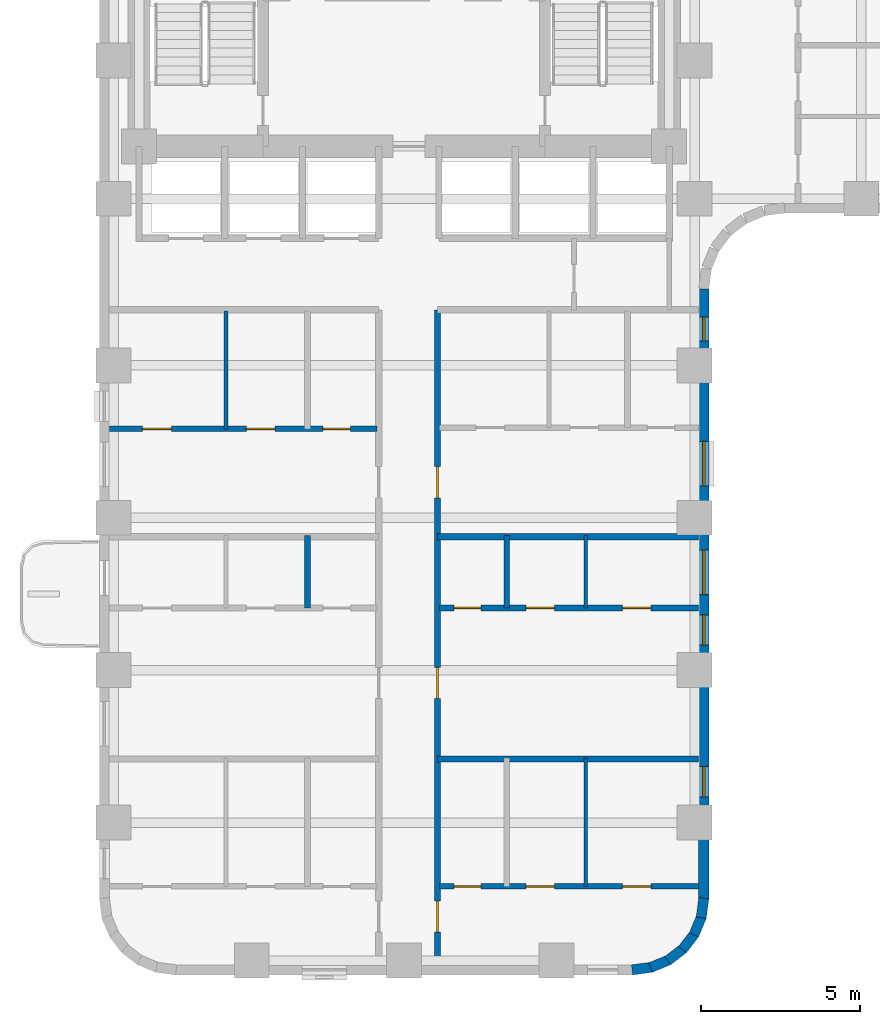
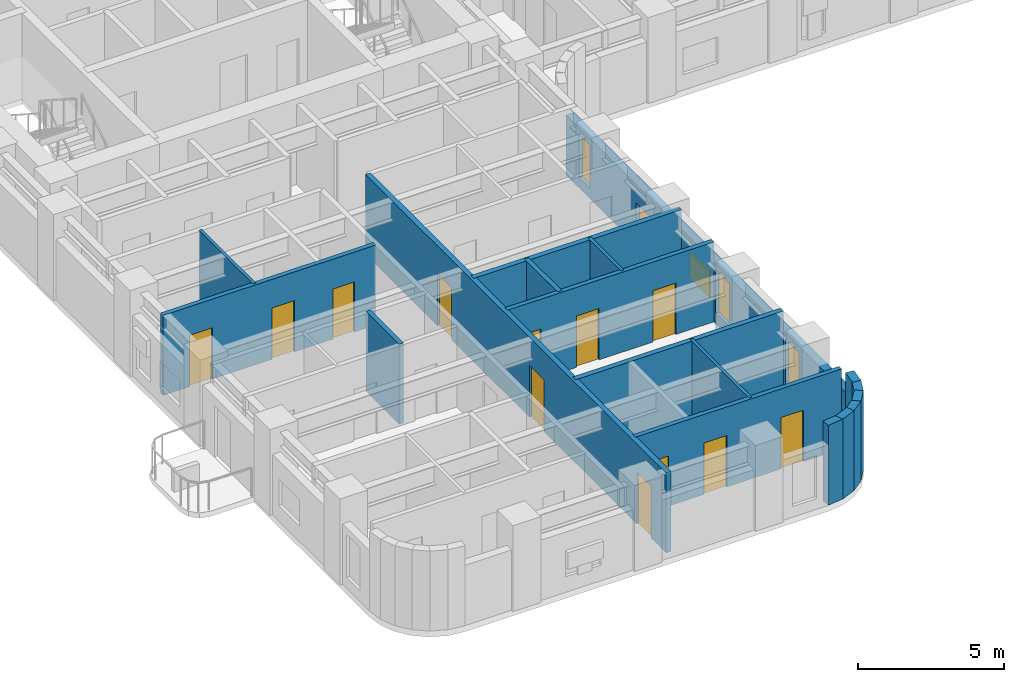
# One storey, part 3 of 10: 18 walls, 12 doors, 5 windows, 17 openings.
"""IFC4 building model written with IfcOpenShell, lengths in metres."""

from ifc_helpers import new_model, si_unit, direction, frame, frame_2d, origin, place, context, subcontext, project, spatial, rectangle, extrude, material, layer, layer_set, type_object, element, fill, save


model = new_model("IFC4")

# Units and contexts
model_context = context("Model", 3, precision=1e-05, world=origin(), true_north=direction((0.0, 1.0)))
body_context = subcontext(model_context, "Body", "Model", "MODEL_VIEW")
ifc_project = project(units=[si_unit("LENGTHUNIT", "METRE"), si_unit("AREAUNIT", "SQUARE_METRE"), si_unit("VOLUMEUNIT", "CUBIC_METRE"), si_unit("PLANEANGLEUNIT", "RADIAN"), si_unit("MASSUNIT", "GRAM", prefix="KILO")], contexts=[model_context])

# Site, building, storey
site_placement = place(None, origin())
site = spatial("IfcSite", under=ifc_project, at=site_placement, CompositionType="ELEMENT")
building_placement = place(site_placement, origin())
building = spatial("IfcBuilding", under=site, at=building_placement, Name="Orvandelia Arch Residences", CompositionType="ELEMENT")
storey_placement = place(building_placement, frame((0.0, 0.0, 32.199951171875)))
storey = spatial("IfcBuildingStorey", under=building, at=storey_placement, Name="L07", CompositionType="ELEMENT", Elevation=32.199951171875)

# Wall, openings, doors
ifc_material_1 = material(Name="Fire-Rated Corridor Partition")
ifc_layer_1 = layer(ifc_material_1, 0.199951171875, Name="Fire-Rated Corridor Partition")
ifc_layer_set_1 = layer_set([ifc_layer_1], Name="Fire-Rated Corridor Partition")
wall_type_1 = type_object("IfcWallType", Name="WL-CORR-200", PredefinedType="PARTITIONING", material=ifc_layer_set_1)
wall_1_placement = place(storey_placement, frame((15.449951171875, 5.1201171875, 0.0), z_axis=(0.0, 0.0, 1.0), x_axis=(0.0, 1.0, 0.0)))
wall_1 = element("IfcWall", 1, at=wall_1_placement, inside=storey, type_object=wall_type_1, Name="Interior Partition Wall WL-L07-WC-E", PredefinedType="PARTITIONING", context=body_context, shape_type="SweptSolid", body=[
    extrude(rectangle(XDim=20.6298828125, YDim=0.199951171875, at=frame_2d((10.31494140625, 0.0))), origin(), (0.0, 0.0, 1.0), 3.35009765625),
])
opening_1_placement = place(wall_1_placement, frame((1.02490234375, 0.0, 0.0)))
opening_1 = element("IfcOpeningElement", 2, at=opening_1_placement, cuts=wall_1, Name="Opening D1", PredefinedType="OPENING", context=body_context, shape_type="SweptSolid", body=[
    extrude(rectangle(XDim=0.97998046875, YDim=2.179931640625, at=frame_2d((0.489990234375, 1.08984375))), frame((0.0, 0.10986328125, 0.0), z_axis=(0.0, -1.0, 0.0), x_axis=(1.0, 0.0, 0.0)), (0.0, 0.0, 1.0), 0.219970703125),
])
opening_2_placement = place(wall_1_placement, frame((8.389892578125, 0.0, 0.0)))
opening_2 = element("IfcOpeningElement", 3, at=opening_2_placement, cuts=wall_1, Name="Opening D1", PredefinedType="OPENING", context=body_context, shape_type="SweptSolid", body=[
    extrude(rectangle(XDim=0.97998046875, YDim=2.179931640625, at=frame_2d((0.489990234375, 1.08984375))), frame((0.0, 0.10986328125, 0.0), z_axis=(0.0, -1.0, 0.0), x_axis=(1.0, 0.0, 0.0)), (0.0, 0.0, 1.0), 0.219970703125),
])
opening_3_placement = place(wall_1_placement, frame((14.7099609375, 0.0, 0.0)))
opening_3 = element("IfcOpeningElement", 4, at=opening_3_placement, cuts=wall_1, Name="Opening D1", PredefinedType="OPENING", context=body_context, shape_type="SweptSolid", body=[
    extrude(rectangle(XDim=0.97998046875, YDim=2.179931640625, at=frame_2d((0.489990234375, 1.08984375))), frame((0.0, 0.10986328125, 0.0), z_axis=(0.0, -1.0, 0.0), x_axis=(1.0, 0.0, 0.0)), (0.0, 0.0, 1.0), 0.219970703125),
])
ifc_material_2 = material(Name="Solid-Core Timber Acoustic Fire Door", Category="wood")
door_type_1 = type_object("IfcDoorType", Name="DR-ENT-980", OperationType="NOTDEFINED", PredefinedType="DOOR", material=ifc_material_2)
door_1_placement = place(opening_1_placement, origin())
door_1 = element("IfcDoor", 5, at=door_1_placement, inside=storey, type_object=door_type_1, Name="Unit L07-04 Entrance Door", OperationType="SINGLE_SWING_RIGHT", OverallHeight=2.179931640625, OverallWidth=0.97998046875, PredefinedType="DOOR", context=body_context, shape_type="SweptSolid", body=[
    extrude(rectangle(XDim=0.97998046875, YDim=2.179931640625, at=frame_2d((0.489990234375, 1.08984375))), frame((0.0, 0.02490234375, 0.0), z_axis=(0.0, -1.0, 0.0), x_axis=(1.0, 0.0, 0.0)), (0.0, 0.0, 1.0), 0.050048828125),
])
fill(opening_1, door_1)
door_2_placement = place(opening_2_placement, origin())
door_2 = element("IfcDoor", 6, at=door_2_placement, inside=storey, type_object=door_type_1, Name="Unit L07-05 Entrance Door", OperationType="SINGLE_SWING_LEFT", OverallHeight=2.179931640625, OverallWidth=0.97998046875, PredefinedType="DOOR", context=body_context, shape_type="SweptSolid", body=[
    extrude(rectangle(XDim=0.97998046875, YDim=2.179931640625, at=frame_2d((0.489990234375, 1.08984375))), frame((0.0, 0.02490234375, 0.0), z_axis=(0.0, -1.0, 0.0), x_axis=(1.0, 0.0, 0.0)), (0.0, 0.0, 1.0), 0.050048828125),
])
fill(opening_2, door_2)
door_3_placement = place(opening_3_placement, origin())
door_3 = element("IfcDoor", 7, at=door_3_placement, inside=storey, type_object=door_type_1, Name="Unit L07-06 Entrance Door", OperationType="SINGLE_SWING_RIGHT", OverallHeight=2.179931640625, OverallWidth=0.97998046875, PredefinedType="DOOR", context=body_context, shape_type="SweptSolid", body=[
    extrude(rectangle(XDim=0.97998046875, YDim=2.179931640625, at=frame_2d((0.489990234375, 1.08984375))), frame((0.0, 0.02490234375, 0.0), z_axis=(0.0, -1.0, 0.0), x_axis=(1.0, 0.0, 0.0)), (0.0, 0.0, 1.0), 0.050048828125),
])
fill(opening_3, door_3)

# Walls
ifc_material_3 = material(Name="Concrete C40/50", Category="concrete")
ifc_layer_2 = layer(ifc_material_3, 0.199951171875, Name="Concrete C40/50", Category="concrete")
ifc_layer_set_2 = layer_set([ifc_layer_2], Name="Concrete C40/50")
wall_type_2 = type_object("IfcWallType", Name="WL-DEM-200", PredefinedType="SOLIDWALL", material=ifc_layer_set_2)
for number, where, z_axis, x_axis, name in (
    (8, (15.449951171875, 11.60009765625, 0.0), (0.0, 0.0, 1.0), (1.0, 0.0, 0.0), "Interior Partition Wall WL-L07-DEM-WR-116"),
    (9, (15.449951171875, 18.60009765625, 0.0), (0.0, 0.0, 1.0), (1.0, 0.0, 0.0), "Interior Partition Wall WL-L07-DEM-WR-186"),
):
    element("IfcWall", number, at=place(storey_placement, frame(where, z_axis=z_axis, x_axis=x_axis)), inside=storey, type_object=wall_type_2, Name=name, PredefinedType="SOLIDWALL", context=body_context, shape_type="SweptSolid", body=[
        extrude(rectangle(XDim=8.22998046875, YDim=0.199951171875, at=frame_2d((4.114990234375, 0.0))), origin(), (0.0, 0.0, 1.0), 3.35009765625),
    ])

# Wall, openings, windows
ifc_material_4 = material(Name="Precast concrete C40/50", Category="concrete")
ifc_layer_3 = layer(ifc_material_4, 0.320068359375, Name="Precast concrete C40/50", Category="concrete")
ifc_layer_set_3 = layer_set([ifc_layer_3], Name="Precast concrete C40/50")
wall_type_3 = type_object("IfcWallType", Name="WL-EXT-STONE-320", PredefinedType="STANDARD", material=ifc_layer_set_3)
wall_2_placement = place(storey_placement, frame((23.840087890625, 26.39990234375, 0.0), z_axis=(0.0, 0.0, 1.0), x_axis=(0.0, -1.0, 0.0)))
wall_2 = element("IfcWall", 10, at=wall_2_placement, inside=storey, type_object=wall_type_3, Name="Coral-Limestone Precast Facade Wall L07-028", PredefinedType="STANDARD", context=body_context, shape_type="SweptSolid", body=[
    extrude(rectangle(XDim=19.199951171875, YDim=0.320068359375, at=frame_2d((9.60009765625, 0.0))), origin(), (0.0, 0.0, 1.0), 2.530029296875),
])
opening_4_placement = place(wall_2_placement, frame((15.0400390625, 0.0, 0.449951171875)))
opening_4 = element("IfcOpeningElement", 11, at=opening_4_placement, cuts=wall_2, Name="Opening W4", PredefinedType="OPENING", context=body_context, shape_type="SweptSolid", body=[
    extrude(rectangle(XDim=0.949951171875, YDim=1.800048828125, at=frame_2d((0.47509765625, 0.89990234375))), frame((0.0, 0.169921875, 0.0), z_axis=(0.0, -1.0, 0.0), x_axis=(1.0, 0.0, 0.0)), (0.0, 0.0, 1.0), 0.340087890625),
])
opening_5_placement = place(wall_2_placement, frame((8.219970703125, 0.0, 0.64990234375)))
opening_5 = element("IfcOpeningElement", 12, at=opening_5_placement, cuts=wall_2, Name="Opening W10", PredefinedType="OPENING", context=body_context, shape_type="SweptSolid", body=[
    extrude(rectangle(XDim=1.39990234375, YDim=1.10009765625, at=frame_2d((0.699951171875, 0.550048828125))), frame((0.0, 0.169921875, 0.0), z_axis=(0.0, -1.0, 0.0), x_axis=(1.0, 0.0, 0.0)), (0.0, 0.0, 1.0), 0.340087890625),
])
opening_6_placement = place(wall_2_placement, frame((4.794921875, 0.0, 0.64990234375)))
opening_6 = element("IfcOpeningElement", 13, at=opening_6_placement, cuts=wall_2, Name="Opening W10", PredefinedType="OPENING", context=body_context, shape_type="SweptSolid", body=[
    extrude(rectangle(XDim=1.39990234375, YDim=1.10009765625, at=frame_2d((0.699951171875, 0.550048828125))), frame((0.0, 0.169921875, 0.0), z_axis=(0.0, -1.0, 0.0), x_axis=(1.0, 0.0, 0.0)), (0.0, 0.0, 1.0), 0.340087890625),
])
opening_7_placement = place(wall_2_placement, frame((10.260009765625, 0.0, 0.449951171875)))
opening_7 = element("IfcOpeningElement", 14, at=opening_7_placement, cuts=wall_2, Name="Opening W4", PredefinedType="OPENING", context=body_context, shape_type="SweptSolid", body=[
    extrude(rectangle(XDim=0.949951171875, YDim=1.800048828125, at=frame_2d((0.47509765625, 0.89990234375))), frame((0.0, 0.169921875, 0.0), z_axis=(0.0, -1.0, 0.0), x_axis=(1.0, 0.0, 0.0)), (0.0, 0.0, 1.0), 0.340087890625),
])
opening_8_placement = place(wall_2_placement, frame((0.8798828125, 0.0, 0.449951171875)))
opening_8 = element("IfcOpeningElement", 15, at=opening_8_placement, cuts=wall_2, Name="Opening W11", PredefinedType="OPENING", context=body_context, shape_type="SweptSolid", body=[
    extrude(rectangle(XDim=0.75, YDim=1.800048828125, at=frame_2d((0.375, 0.89990234375))), frame((0.0, 0.169921875, 0.0), z_axis=(0.0, -1.0, 0.0), x_axis=(1.0, 0.0, 0.0)), (0.0, 0.0, 1.0), 0.340087890625),
])
ifc_material_5 = material(Name="Tempered Low-E Insulated Glazing", Category="glass")
window_type_1 = type_object("IfcWindowType", Name="WIN-BED-0750x1800", PartitioningType="SINGLE_PANEL", PredefinedType="WINDOW", material=ifc_material_5)
window_1_placement = place(opening_8_placement, origin())
window_1 = element("IfcWindow", 16, at=window_1_placement, inside=storey, type_object=window_type_1, Name="Recessed Punched Window L07-026", OverallHeight=1.800048828125, OverallWidth=0.75, PartitioningType="SINGLE_PANEL", PredefinedType="WINDOW", context=body_context, shape_type="SweptSolid", body=[
    extrude(rectangle(XDim=0.75, YDim=1.800048828125, at=frame_2d((0.375, 0.89990234375))), frame((0.0, 0.030029296875, 0.0), z_axis=(0.0, -1.0, 0.0), x_axis=(1.0, 0.0, 0.0)), (0.0, 0.0, 1.0), 0.06005859375),
])
fill(opening_8, window_1)
window_type_2 = type_object("IfcWindowType", Name="WIN-CLR-1400x1100", PartitioningType="SINGLE_PANEL", PredefinedType="WINDOW", material=ifc_material_5)
window_2_placement = place(opening_5_placement, origin())
window_2 = element("IfcWindow", 17, at=window_2_placement, inside=storey, type_object=window_type_2, Name="Recessed Punched Window L07-023", OverallHeight=1.10009765625, OverallWidth=1.39990234375, PartitioningType="SINGLE_PANEL", PredefinedType="WINDOW", context=body_context, shape_type="SweptSolid", body=[
    extrude(rectangle(XDim=1.39990234375, YDim=1.10009765625, at=frame_2d((0.699951171875, 0.550048828125))), frame((0.0, 0.030029296875, 0.0), z_axis=(0.0, -1.0, 0.0), x_axis=(1.0, 0.0, 0.0)), (0.0, 0.0, 1.0), 0.06005859375),
])
fill(opening_5, window_2)
window_3_placement = place(opening_6_placement, origin())
window_3 = element("IfcWindow", 18, at=window_3_placement, inside=storey, type_object=window_type_2, Name="Recessed Punched Window L07-024", OverallHeight=1.10009765625, OverallWidth=1.39990234375, PartitioningType="SINGLE_PANEL", PredefinedType="WINDOW", context=body_context, shape_type="SweptSolid", body=[
    extrude(rectangle(XDim=1.39990234375, YDim=1.10009765625, at=frame_2d((0.699951171875, 0.550048828125))), frame((0.0, 0.030029296875, 0.0), z_axis=(0.0, -1.0, 0.0), x_axis=(1.0, 0.0, 0.0)), (0.0, 0.0, 1.0), 0.06005859375),
])
fill(opening_6, window_3)
window_type_3 = type_object("IfcWindowType", Name="WIN-RES-0950x1800", PartitioningType="SINGLE_PANEL", PredefinedType="WINDOW", material=ifc_material_5)
window_4_placement = place(opening_4_placement, origin())
window_4 = element("IfcWindow", 19, at=window_4_placement, inside=storey, type_object=window_type_3, Name="Recessed Punched Window L07-022", OverallHeight=1.800048828125, OverallWidth=0.949951171875, PartitioningType="SINGLE_PANEL", PredefinedType="WINDOW", context=body_context, shape_type="SweptSolid", body=[
    extrude(rectangle(XDim=0.949951171875, YDim=1.800048828125, at=frame_2d((0.47509765625, 0.89990234375))), frame((0.0, 0.030029296875, 0.0), z_axis=(0.0, -1.0, 0.0), x_axis=(1.0, 0.0, 0.0)), (0.0, 0.0, 1.0), 0.06005859375),
])
fill(opening_4, window_4)
window_5_placement = place(opening_7_placement, origin())
window_5 = element("IfcWindow", 20, at=window_5_placement, inside=storey, type_object=window_type_3, Name="Recessed Punched Window L07-025", OverallHeight=1.800048828125, OverallWidth=0.949951171875, PartitioningType="SINGLE_PANEL", PredefinedType="WINDOW", context=body_context, shape_type="SweptSolid", body=[
    extrude(rectangle(XDim=0.949951171875, YDim=1.800048828125, at=frame_2d((0.47509765625, 0.89990234375))), frame((0.0, 0.030029296875, 0.0), z_axis=(0.0, -1.0, 0.0), x_axis=(1.0, 0.0, 0.0)), (0.0, 0.0, 1.0), 0.06005859375),
])
fill(opening_7, window_5)

# Walls
wall_3_placement = place(storey_placement, frame((23.84130859375, 7.220947265625, 0.0), z_axis=(0.0, 0.0, 1.0), x_axis=(-0.130504898859, -0.991447664465, 0.0)))
element("IfcWall", 21, at=wall_3_placement, inside=storey, type_object=wall_type_3, Name="Coral-Limestone Precast Facade Wall L07-029", PredefinedType="STANDARD", context=body_context, shape_type="SweptSolid", body=[
    extrude(rectangle(XDim=0.626708984375, YDim=0.320068359375, at=frame_2d((0.3134765625, 0.0))), origin(), (0.0, 0.0, 1.0), 3.35009765625),
])
wall_4_placement = place(storey_placement, frame((23.7705078125, 6.639892578125, 0.0), z_axis=(0.0, 0.0, 1.0), x_axis=(-0.382787856107, -0.923836271867, 0.0)))
element("IfcWall", 22, at=wall_4_placement, inside=storey, type_object=wall_type_3, Name="Coral-Limestone Precast Facade Wall L07-030", PredefinedType="STANDARD", context=body_context, shape_type="SweptSolid", body=[
    extrude(rectangle(XDim=0.626220703125, YDim=0.320068359375, at=frame_2d((0.31298828125, 0.0))), origin(), (0.0, 0.0, 1.0), 3.35009765625),
])
wall_5_placement = place(storey_placement, frame((23.551513671875, 6.097412109375, 0.0), z_axis=(0.0, 0.0, 1.0), x_axis=(-0.608693302629, -0.793405610854, 0.0)))
element("IfcWall", 23, at=wall_5_placement, inside=storey, type_object=wall_type_3, Name="Coral-Limestone Precast Facade Wall L07-031", PredefinedType="STANDARD", context=body_context, shape_type="SweptSolid", body=[
    extrude(rectangle(XDim=0.62646484375, YDim=0.320068359375, at=frame_2d((0.313232421875, 0.0))), origin(), (0.0, 0.0, 1.0), 3.35009765625),
])
wall_6_placement = place(storey_placement, frame((23.19970703125, 5.6298828125, 0.0), z_axis=(0.0, 0.0, 1.0), x_axis=(-0.7932174212, -0.608938521285, 0.0)))
element("IfcWall", 24, at=wall_6_placement, inside=storey, type_object=wall_type_3, Name="Coral-Limestone Precast Facade Wall L07-032", PredefinedType="STANDARD", context=body_context, shape_type="SweptSolid", body=[
    extrude(rectangle(XDim=0.626708984375, YDim=0.320068359375, at=frame_2d((0.3134765625, 0.0))), origin(), (0.0, 0.0, 1.0), 3.35009765625),
])
for number, where, z_axis, x_axis, name in (
    (25, (22.73876953125, 5.269287109375, 0.0), (0.0, 0.0, 1.0), (-0.92389335771, -0.382650053678, 0.0), "Coral-Limestone Precast Facade Wall L07-033"),
    (26, (22.2001953125, 5.040283203125, 0.0), (0.0, 0.0, 1.0), (-0.9914410257, -0.130555323746, 0.0), "Coral-Limestone Precast Facade Wall L07-034"),
):
    element("IfcWall", number, at=place(storey_placement, frame(where, z_axis=z_axis, x_axis=x_axis)), inside=storey, type_object=wall_type_3, Name=name, PredefinedType="STANDARD", context=body_context, shape_type="SweptSolid", body=[
        extrude(rectangle(XDim=0.62646484375, YDim=0.320068359375, at=frame_2d((0.313232421875, 0.0))), origin(), (0.0, 0.0, 1.0), 3.35009765625),
    ])
ifc_material_6 = material(Name="Lightweight Gypsum Stud Partition")
ifc_layer_4 = layer(ifc_material_6, 0.1201171875, Name="Lightweight Gypsum Stud Partition")
ifc_layer_set_4 = layer_set([ifc_layer_4], Name="Lightweight Gypsum Stud Partition")
wall_type_4 = type_object("IfcWallType", Name="WL-PART-120", PredefinedType="PARTITIONING", material=ifc_layer_set_4)
wall_7_placement = place(storey_placement, frame((8.791015625, 22.0, 0.0), z_axis=(0.0, 0.0, 1.0), x_axis=(0.0, 1.0, 0.0)))
element("IfcWall", 27, at=wall_7_placement, inside=storey, type_object=wall_type_4, Name="Interior Partition Wall WL-L07-U03-V1", PredefinedType="PARTITIONING", context=body_context, shape_type="SweptSolid", body=[
    extrude(rectangle(XDim=3.719970703125, YDim=0.1201171875, at=frame_2d((1.85986328125, 0.0))), origin(), (0.0, 0.0, 1.0), 3.35009765625),
])
wall_8_placement = place(storey_placement, frame((20.118896484375, 7.590087890625, 0.0), z_axis=(0.0, 0.0, 1.0), x_axis=(0.0, 1.0, 0.0)))
element("IfcWall", 28, at=wall_8_placement, inside=storey, type_object=wall_type_4, Name="Interior Partition Wall WL-L07-U04-V2", PredefinedType="PARTITIONING", context=body_context, shape_type="SweptSolid", body=[
    extrude(rectangle(XDim=4.0498046875, YDim=0.1201171875, at=frame_2d((2.02490234375, 0.0))), origin(), (0.0, 0.0, 1.0), 3.35009765625),
])
wall_9_placement = place(storey_placement, frame((20.118896484375, 16.360107421875, 0.0), z_axis=(0.0, 0.0, 1.0), x_axis=(0.0, 1.0, 0.0)))
element("IfcWall", 29, at=wall_9_placement, inside=storey, type_object=wall_type_4, Name="Interior Partition Wall WL-L07-U05-V2", PredefinedType="PARTITIONING", context=body_context, shape_type="SweptSolid", body=[
    extrude(rectangle(XDim=2.27978515625, YDim=0.1201171875, at=frame_2d((1.139892578125, 0.0))), origin(), (0.0, 0.0, 1.0), 3.35009765625),
])
ifc_material_7 = material(Name="Moisture-Resistant Plumbing Wall")
ifc_layer_5 = layer(ifc_material_7, 0.179931640625, Name="Moisture-Resistant Plumbing Wall")
ifc_layer_set_5 = layer_set([ifc_layer_5], Name="Moisture-Resistant Plumbing Wall")
wall_type_5 = type_object("IfcWallType", Name="WL-WET-180", PredefinedType="PLUMBINGWALL", material=ifc_layer_set_5)
wall_10_placement = place(storey_placement, frame((11.35498046875, 16.360107421875, 0.0), z_axis=(0.0, 0.0, 1.0), x_axis=(0.0, 1.0, 0.0)))
element("IfcWall", 30, at=wall_10_placement, inside=storey, type_object=wall_type_5, Name="Interior Partition Wall WL-L07-U02-V2", PredefinedType="PLUMBINGWALL", context=body_context, shape_type="SweptSolid", body=[
    extrude(rectangle(XDim=2.27978515625, YDim=0.179931640625, at=frame_2d((1.139892578125, 0.0))), origin(), (0.0, 0.0, 1.0), 3.35009765625),
])

# Wall, openings, doors
wall_11_placement = place(storey_placement, frame((5.1201171875, 22.0, 0.0), z_axis=(0.0, 0.0, 1.0), x_axis=(1.0, 0.0, 0.0)))
wall_11 = element("IfcWall", 31, at=wall_11_placement, inside=storey, type_object=wall_type_5, Name="Interior Partition Wall WL-L07-U03-HZ", PredefinedType="PLUMBINGWALL", context=body_context, shape_type="SweptSolid", body=[
    extrude(rectangle(XDim=8.419921875, YDim=0.179931640625, at=frame_2d((4.2099609375, 0.0))), origin(), (0.0, 0.0, 1.0), 3.35009765625),
])
opening_9_placement = place(wall_11_placement, frame((1.04638671875, 0.0, 0.0)))
opening_9 = element("IfcOpeningElement", 32, at=opening_9_placement, cuts=wall_11, Name="Opening D3", PredefinedType="OPENING", context=body_context, shape_type="SweptSolid", body=[
    extrude(rectangle(XDim=0.89990234375, YDim=2.14990234375, at=frame_2d((0.449951171875, 1.074951171875))), frame((0.0, 0.10009765625, 0.0), z_axis=(0.0, -1.0, 0.0), x_axis=(1.0, 0.0, 0.0)), (0.0, 0.0, 1.0), 0.199951171875),
])
opening_10_placement = place(wall_11_placement, frame((4.307373046875, 0.0, 0.0)))
opening_10 = element("IfcOpeningElement", 33, at=opening_10_placement, cuts=wall_11, Name="Opening D3", PredefinedType="OPENING", context=body_context, shape_type="SweptSolid", body=[
    extrude(rectangle(XDim=0.89990234375, YDim=2.14990234375, at=frame_2d((0.449951171875, 1.074951171875))), frame((0.0, 0.10009765625, 0.0), z_axis=(0.0, -1.0, 0.0), x_axis=(1.0, 0.0, 0.0)), (0.0, 0.0, 1.0), 0.199951171875),
])
opening_11_placement = place(wall_11_placement, frame((6.723388671875, 0.0, 0.0)))
opening_11 = element("IfcOpeningElement", 34, at=opening_11_placement, cuts=wall_11, Name="Opening D4", PredefinedType="OPENING", context=body_context, shape_type="SweptSolid", body=[
    extrude(rectangle(XDim=0.860107421875, YDim=2.10009765625, at=frame_2d((0.43017578125, 1.050048828125))), frame((0.0, 0.10009765625, 0.0), z_axis=(0.0, -1.0, 0.0), x_axis=(1.0, 0.0, 0.0)), (0.0, 0.0, 1.0), 0.199951171875),
])
ifc_material_8 = material(Name="Engineered Timber Flush Door", Category="wood")
door_type_2 = type_object("IfcDoorType", Name="DR-INT-900", OperationType="NOTDEFINED", PredefinedType="DOOR", material=ifc_material_8)
door_4_placement = place(opening_9_placement, origin())
door_4 = element("IfcDoor", 35, at=door_4_placement, inside=storey, type_object=door_type_2, Name="DR-L07-U03-BD1", OperationType="SINGLE_SWING_LEFT", OverallHeight=2.14990234375, OverallWidth=0.89990234375, PredefinedType="DOOR", context=body_context, shape_type="SweptSolid", body=[
    extrude(rectangle(XDim=0.89990234375, YDim=2.14990234375, at=frame_2d((0.449951171875, 1.074951171875))), frame((0.0, 0.02490234375, 0.0), z_axis=(0.0, -1.0, 0.0), x_axis=(1.0, 0.0, 0.0)), (0.0, 0.0, 1.0), 0.050048828125),
])
fill(opening_9, door_4)
door_5_placement = place(opening_10_placement, origin())
door_5 = element("IfcDoor", 36, at=door_5_placement, inside=storey, type_object=door_type_2, Name="DR-L07-U03-KIT", OperationType="SINGLE_SWING_RIGHT", OverallHeight=2.14990234375, OverallWidth=0.89990234375, PredefinedType="DOOR", context=body_context, shape_type="SweptSolid", body=[
    extrude(rectangle(XDim=0.89990234375, YDim=2.14990234375, at=frame_2d((0.449951171875, 1.074951171875))), frame((0.0, 0.02490234375, 0.0), z_axis=(0.0, -1.0, 0.0), x_axis=(1.0, 0.0, 0.0)), (0.0, 0.0, 1.0), 0.050048828125),
])
fill(opening_10, door_5)
ifc_material_9 = material(Name="Moisture-Sealed Timber Bathroom Door", Category="wood")
door_type_3 = type_object("IfcDoorType", Name="DR-WET-900", OperationType="NOTDEFINED", PredefinedType="DOOR", material=ifc_material_9)
door_6_placement = place(opening_11_placement, origin())
door_6 = element("IfcDoor", 37, at=door_6_placement, inside=storey, type_object=door_type_3, Name="DR-L07-U03-BTH", OperationType="SINGLE_SWING_LEFT", OverallHeight=2.10009765625, OverallWidth=0.860107421875, PredefinedType="DOOR", context=body_context, shape_type="SweptSolid", body=[
    extrude(rectangle(XDim=0.860107421875, YDim=2.10009765625, at=frame_2d((0.43017578125, 1.050048828125))), frame((0.0, 0.02490234375, 0.0), z_axis=(0.0, -1.0, 0.0), x_axis=(1.0, 0.0, 0.0)), (0.0, 0.0, 1.0), 0.050048828125),
])
fill(opening_11, door_6)

wall_12_placement = place(storey_placement, frame((15.510009765625, 7.590087890625, 0.0), z_axis=(0.0, 0.0, 1.0), x_axis=(1.0, 0.0, 0.0)))
wall_12 = element("IfcWall", 38, at=wall_12_placement, inside=storey, type_object=wall_type_5, Name="Interior Partition Wall WL-L07-U04-HZ", PredefinedType="PLUMBINGWALL", context=body_context, shape_type="SweptSolid", body=[
    extrude(rectangle(XDim=8.169921875, YDim=0.179931640625, at=frame_2d((4.0849609375, 0.0))), origin(), (0.0, 0.0, 1.0), 3.35009765625),
])
opening_12_placement = place(wall_12_placement, frame((0.458984375, 0.0, 0.0)))
opening_12 = element("IfcOpeningElement", 39, at=opening_12_placement, cuts=wall_12, Name="Opening D4", PredefinedType="OPENING", context=body_context, shape_type="SweptSolid", body=[
    extrude(rectangle(XDim=0.860107421875, YDim=2.10009765625, at=frame_2d((0.43017578125, 1.050048828125))), frame((0.0, 0.10009765625, 0.0), z_axis=(0.0, -1.0, 0.0), x_axis=(1.0, 0.0, 0.0)), (0.0, 0.0, 1.0), 0.199951171875),
])
opening_13_placement = place(wall_12_placement, frame((2.722412109375, 0.0, 0.0)))
opening_13 = element("IfcOpeningElement", 40, at=opening_13_placement, cuts=wall_12, Name="Opening D3", PredefinedType="OPENING", context=body_context, shape_type="SweptSolid", body=[
    extrude(rectangle(XDim=0.89990234375, YDim=2.14990234375, at=frame_2d((0.449951171875, 1.074951171875))), frame((0.0, 0.10009765625, 0.0), z_axis=(0.0, -1.0, 0.0), x_axis=(1.0, 0.0, 0.0)), (0.0, 0.0, 1.0), 0.199951171875),
])
opening_14_placement = place(wall_12_placement, frame((5.76611328125, 0.0, 0.0)))
opening_14 = element("IfcOpeningElement", 41, at=opening_14_placement, cuts=wall_12, Name="Opening D3", PredefinedType="OPENING", context=body_context, shape_type="SweptSolid", body=[
    extrude(rectangle(XDim=0.89990234375, YDim=2.14990234375, at=frame_2d((0.449951171875, 1.074951171875))), frame((0.0, 0.10009765625, 0.0), z_axis=(0.0, -1.0, 0.0), x_axis=(1.0, 0.0, 0.0)), (0.0, 0.0, 1.0), 0.199951171875),
])
door_7_placement = place(opening_13_placement, origin())
door_7 = element("IfcDoor", 42, at=door_7_placement, inside=storey, type_object=door_type_2, Name="DR-L07-U04-KIT", OperationType="SINGLE_SWING_RIGHT", OverallHeight=2.14990234375, OverallWidth=0.89990234375, PredefinedType="DOOR", context=body_context, shape_type="SweptSolid", body=[
    extrude(rectangle(XDim=0.89990234375, YDim=2.14990234375, at=frame_2d((0.449951171875, 1.074951171875))), frame((0.0, 0.02490234375, 0.0), z_axis=(0.0, -1.0, 0.0), x_axis=(1.0, 0.0, 0.0)), (0.0, 0.0, 1.0), 0.050048828125),
])
fill(opening_13, door_7)
door_8_placement = place(opening_14_placement, origin())
door_8 = element("IfcDoor", 43, at=door_8_placement, inside=storey, type_object=door_type_2, Name="DR-L07-U04-BD1", OperationType="SINGLE_SWING_LEFT", OverallHeight=2.14990234375, OverallWidth=0.89990234375, PredefinedType="DOOR", context=body_context, shape_type="SweptSolid", body=[
    extrude(rectangle(XDim=0.89990234375, YDim=2.14990234375, at=frame_2d((0.449951171875, 1.074951171875))), frame((0.0, 0.02490234375, 0.0), z_axis=(0.0, -1.0, 0.0), x_axis=(1.0, 0.0, 0.0)), (0.0, 0.0, 1.0), 0.050048828125),
])
fill(opening_14, door_8)
door_9_placement = place(opening_12_placement, origin())
door_9 = element("IfcDoor", 44, at=door_9_placement, inside=storey, type_object=door_type_3, Name="DR-L07-U04-BTH", OperationType="SINGLE_SWING_LEFT", OverallHeight=2.10009765625, OverallWidth=0.860107421875, PredefinedType="DOOR", context=body_context, shape_type="SweptSolid", body=[
    extrude(rectangle(XDim=0.860107421875, YDim=2.10009765625, at=frame_2d((0.43017578125, 1.050048828125))), frame((0.0, 0.02490234375, 0.0), z_axis=(0.0, -1.0, 0.0), x_axis=(1.0, 0.0, 0.0)), (0.0, 0.0, 1.0), 0.050048828125),
])
fill(opening_12, door_9)

wall_13_placement = place(storey_placement, frame((15.510009765625, 16.360107421875, 0.0), z_axis=(0.0, 0.0, 1.0), x_axis=(1.0, 0.0, 0.0)))
wall_13 = element("IfcWall", 45, at=wall_13_placement, inside=storey, type_object=wall_type_5, Name="Interior Partition Wall WL-L07-U05-HZ", PredefinedType="PLUMBINGWALL", context=body_context, shape_type="SweptSolid", body=[
    extrude(rectangle(XDim=8.169921875, YDim=0.179931640625, at=frame_2d((4.0849609375, 0.0))), origin(), (0.0, 0.0, 1.0), 3.35009765625),
])
opening_15_placement = place(wall_13_placement, frame((0.458984375, 0.0, 0.0)))
opening_15 = element("IfcOpeningElement", 46, at=opening_15_placement, cuts=wall_13, Name="Opening D4", PredefinedType="OPENING", context=body_context, shape_type="SweptSolid", body=[
    extrude(rectangle(XDim=0.860107421875, YDim=2.10009765625, at=frame_2d((0.43017578125, 1.050048828125))), frame((0.0, 0.10009765625, 0.0), z_axis=(0.0, -1.0, 0.0), x_axis=(1.0, 0.0, 0.0)), (0.0, 0.0, 1.0), 0.199951171875),
])
opening_16_placement = place(wall_13_placement, frame((2.722412109375, 0.0, 0.0)))
opening_16 = element("IfcOpeningElement", 47, at=opening_16_placement, cuts=wall_13, Name="Opening D3", PredefinedType="OPENING", context=body_context, shape_type="SweptSolid", body=[
    extrude(rectangle(XDim=0.89990234375, YDim=2.14990234375, at=frame_2d((0.449951171875, 1.074951171875))), frame((0.0, 0.10009765625, 0.0), z_axis=(0.0, -1.0, 0.0), x_axis=(1.0, 0.0, 0.0)), (0.0, 0.0, 1.0), 0.199951171875),
])
opening_17_placement = place(wall_13_placement, frame((5.76611328125, 0.0, 0.0)))
opening_17 = element("IfcOpeningElement", 48, at=opening_17_placement, cuts=wall_13, Name="Opening D3", PredefinedType="OPENING", context=body_context, shape_type="SweptSolid", body=[
    extrude(rectangle(XDim=0.89990234375, YDim=2.14990234375, at=frame_2d((0.449951171875, 1.074951171875))), frame((0.0, 0.10009765625, 0.0), z_axis=(0.0, -1.0, 0.0), x_axis=(1.0, 0.0, 0.0)), (0.0, 0.0, 1.0), 0.199951171875),
])
door_10_placement = place(opening_16_placement, origin())
door_10 = element("IfcDoor", 49, at=door_10_placement, inside=storey, type_object=door_type_2, Name="DR-L07-U05-KIT", OperationType="SINGLE_SWING_LEFT", OverallHeight=2.14990234375, OverallWidth=0.89990234375, PredefinedType="DOOR", context=body_context, shape_type="SweptSolid", body=[
    extrude(rectangle(XDim=0.89990234375, YDim=2.14990234375, at=frame_2d((0.449951171875, 1.074951171875))), frame((0.0, 0.02490234375, 0.0), z_axis=(0.0, -1.0, 0.0), x_axis=(1.0, 0.0, 0.0)), (0.0, 0.0, 1.0), 0.050048828125),
])
fill(opening_16, door_10)
door_11_placement = place(opening_17_placement, origin())
door_11 = element("IfcDoor", 50, at=door_11_placement, inside=storey, type_object=door_type_2, Name="DR-L07-U05-BD1", OperationType="SINGLE_SWING_RIGHT", OverallHeight=2.14990234375, OverallWidth=0.89990234375, PredefinedType="DOOR", context=body_context, shape_type="SweptSolid", body=[
    extrude(rectangle(XDim=0.89990234375, YDim=2.14990234375, at=frame_2d((0.449951171875, 1.074951171875))), frame((0.0, 0.02490234375, 0.0), z_axis=(0.0, -1.0, 0.0), x_axis=(1.0, 0.0, 0.0)), (0.0, 0.0, 1.0), 0.050048828125),
])
fill(opening_17, door_11)
door_12_placement = place(opening_15_placement, origin())
door_12 = element("IfcDoor", 51, at=door_12_placement, inside=storey, type_object=door_type_3, Name="DR-L07-U05-BTH", OperationType="SINGLE_SWING_RIGHT", OverallHeight=2.10009765625, OverallWidth=0.860107421875, PredefinedType="DOOR", context=body_context, shape_type="SweptSolid", body=[
    extrude(rectangle(XDim=0.860107421875, YDim=2.10009765625, at=frame_2d((0.43017578125, 1.050048828125))), frame((0.0, 0.02490234375, 0.0), z_axis=(0.0, -1.0, 0.0), x_axis=(1.0, 0.0, 0.0)), (0.0, 0.0, 1.0), 0.050048828125),
])
fill(opening_15, door_12)

# Wall
wall_14_placement = place(storey_placement, frame((17.6298828125, 16.360107421875, 0.0), z_axis=(0.0, 0.0, 1.0), x_axis=(0.0, 1.0, 0.0)))
element("IfcWall", 52, at=wall_14_placement, inside=storey, type_object=wall_type_5, Name="Interior Partition Wall WL-L07-U05-V1", PredefinedType="PLUMBINGWALL", context=body_context, shape_type="SweptSolid", body=[
    extrude(rectangle(XDim=2.27978515625, YDim=0.179931640625, at=frame_2d((1.139892578125, 0.0))), origin(), (0.0, 0.0, 1.0), 3.35009765625),
])

save(model, "model.ifc")
